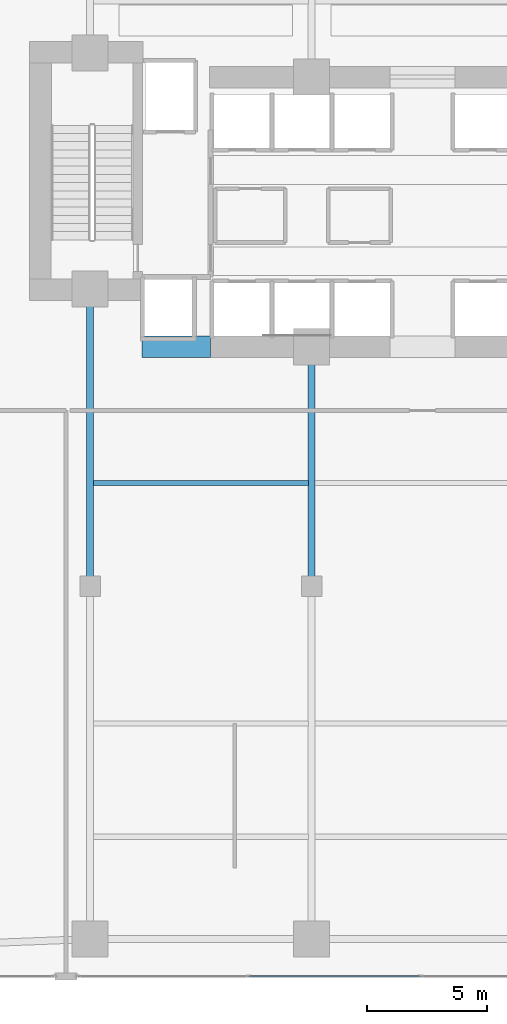
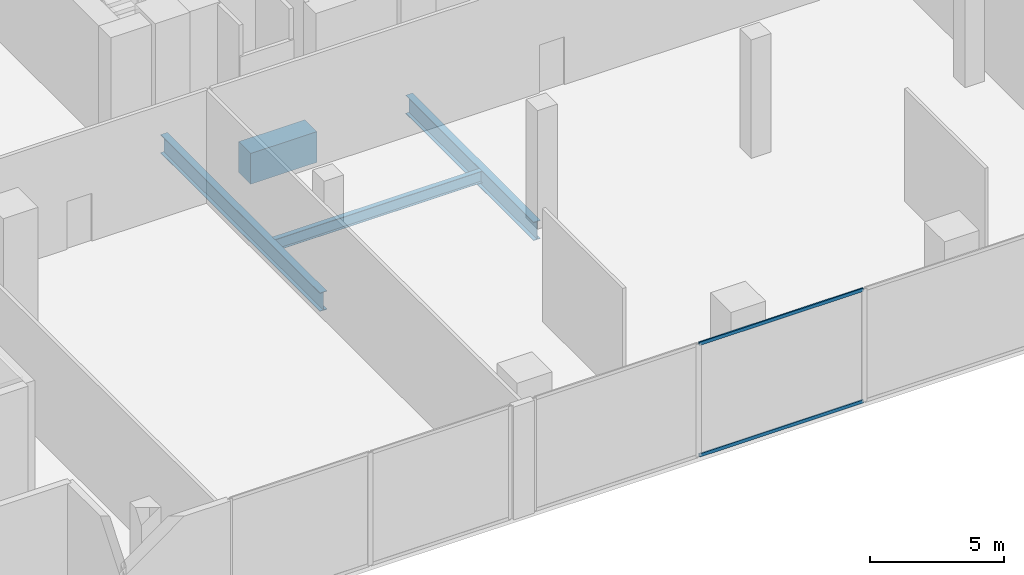
# One storey, part 7 of 30: 4 beams, 2 members, 1 element without a shape of its own.
"""IFC4 building model written with IfcOpenShell, lengths in metres."""

from ifc_helpers import new_model, si_unit, direction, frame, origin, origin_2d, place, context, subcontext, project, spatial, rectangle, hollow_rectangle, i_section, extrude, material, layer, layer_set, material_profile, profile_set, type_object, element, aggregate, save


model = new_model("IFC4")

# Units and contexts
model_context = context("Model", 3, precision=1e-05, world=origin(), true_north=direction((0.0, 1.0)))
body_context = subcontext(model_context, "Body", "Model", "MODEL_VIEW")
ifc_project = project(units=[si_unit("LENGTHUNIT", "METRE"), si_unit("AREAUNIT", "SQUARE_METRE"), si_unit("VOLUMEUNIT", "CUBIC_METRE"), si_unit("PLANEANGLEUNIT", "RADIAN"), si_unit("MASSUNIT", "GRAM", prefix="KILO")], contexts=[model_context])

# Site, building, storey
site_placement = place(None, origin())
site = spatial("IfcSite", under=ifc_project, at=site_placement, CompositionType="ELEMENT")
building_placement = place(site_placement, origin())
building = spatial("IfcBuilding", under=site, at=building_placement, Name="Zuhayl Quay Hotel", CompositionType="ELEMENT")
storey_placement = place(building_placement, frame((0.0, 0.0, 6.0)))
storey = spatial("IfcBuildingStorey", under=building, at=storey_placement, Name="L01", CompositionType="ELEMENT", Elevation=6.0)

# Beams
ifc_material_1 = material(Name="Concrete C60/75", Category="concrete")
ifc_material_profile_1 = material_profile(ifc_material_1, rectangle(XDim=0.89990234375, YDim=1.39990234375, at=origin_2d()), Name="RC900X1400")
ifc_profile_set_1 = profile_set([ifc_material_profile_1], Name="Concrete C60/75")
beam_type_1 = type_object("IfcBeamType", Name="BM_CB1_RC900", PredefinedType="T_BEAM", material=ifc_profile_set_1)
beam_1_placement = place(storey_placement, frame((-11.64990234375, 2.14990234375, -0.949951171875), z_axis=(1.0, 0.0, 0.0), x_axis=(0.0, 1.0, 0.0)))
element("IfcBeam", 1, at=beam_1_placement, inside=storey, type_object=beam_type_1, Name="L01 Core Coupling Beam SW", PredefinedType="T_BEAM", context=body_context, shape_type="SweptSolid", body=[
    extrude(rectangle(XDim=0.89990234375, YDim=1.39990234375, at=origin_2d()), origin(), (0.0, 0.0, 1.0), 2.849853515625),
])
ifc_material_2 = material(Name="Steel ASTM A992 Grade 50", Category="steel")
ifc_material_profile_2 = material_profile(ifc_material_2, i_section(OverallWidth=0.208984375, OverallDepth=0.532958984375, WebThickness=0.01025390625, FlangeThickness=0.015625, at=origin_2d()), Name="W21X62")
ifc_profile_set_2 = profile_set([ifc_material_profile_2], Name="Steel ASTM A992 Grade 50")
beam_type_2 = type_object("IfcBeamType", Name="BM_J1_W21X62", PredefinedType="JOIST", material=ifc_profile_set_2)
beam_2_placement = place(storey_placement, frame((-13.662109375, -3.5, -0.5166015625), z_axis=(1.0, 0.0, 0.0), x_axis=(0.0, 1.0, 0.0)))
element("IfcBeam", 2, at=beam_2_placement, inside=storey, type_object=beam_type_2, Name="L01 Floor Beam J_POD_L01_3_1", PredefinedType="JOIST", context=body_context, shape_type="SweptSolid", body=[
    extrude(i_section(OverallWidth=0.208984375, OverallDepth=0.532958984375, WebThickness=0.01025390625, FlangeThickness=0.015625, at=origin_2d()), origin(), (0.0, 0.0, 1.0), 8.924072265625),
])
ifc_material_profile_3 = material_profile(ifc_material_2, i_section(OverallWidth=0.2919921875, OverallDepth=0.845947265625, WebThickness=0.015380859375, FlangeThickness=0.0244140625, at=origin_2d()), Name="W33X141")
ifc_profile_set_3 = profile_set([ifc_material_profile_3], Name="Steel ASTM A992 Grade 50")
beam_type_3 = type_object("IfcBeamType", Name="BM_PG3_W33X141", PredefinedType="BEAM", material=ifc_profile_set_3)
beam_3_placement = place(storey_placement, frame((-13.800048828125, -7.449951171875, -0.673095703125), z_axis=(0.0, 1.0, 0.0), x_axis=(-1.0, 0.0, 0.0)))
element("IfcBeam", 3, at=beam_3_placement, inside=storey, type_object=beam_type_3, Name="L01 Floor Beam PG_NS2_L01_1", PredefinedType="BEAM", context=body_context, shape_type="SweptSolid", body=[
    extrude(i_section(OverallWidth=0.2919921875, OverallDepth=0.845947265625, WebThickness=0.015380859375, FlangeThickness=0.0244140625, at=origin_2d()), origin(), (0.0, 0.0, 1.0), 11.89990234375),
])
beam_4_placement = place(storey_placement, frame((-4.60009765625, -7.449951171875, -0.673095703125), z_axis=(0.0, 1.0, 0.0), x_axis=(-1.0, 0.0, 0.0)))
element("IfcBeam", 4, at=beam_4_placement, inside=storey, type_object=beam_type_3, Name="L01 Floor Beam PG_NS2_L01_2", PredefinedType="BEAM", context=body_context, shape_type="SweptSolid", body=[
    extrude(i_section(OverallWidth=0.2919921875, OverallDepth=0.845947265625, WebThickness=0.015380859375, FlangeThickness=0.0244140625, at=origin_2d()), origin(), (0.0, 0.0, 1.0), 9.550048828125),
])

# Curtain wall, members
ifc_material_3 = material(Name="Anodised Aluminium 6063-T6", Category="aluminium")
ifc_layer = layer(ifc_material_3, 0.199951171875, Name="Anodised Aluminium 6063-T6", Category="aluminium")
ifc_layer_set = layer_set([ifc_layer], Name="Anodised Aluminium 6063-T6")
curtain_wall_type = type_object("IfcCurtainWallType", Name="CW_SYS_POD", PredefinedType="USERDEFINED", material=ifc_layer_set)
curtain_wall_placement = place(storey_placement, origin())
curtain_wall = element("IfcCurtainWall", 5, at=curtain_wall_placement, inside=storey, type_object=curtain_wall_type, Name="L01 Curtain Wall ENV_L01_E11_CW2", ObjectType="UNITISED CURTAIN WALL", PredefinedType="USERDEFINED")
ifc_material_4 = material(Name="Black-anodised aluminium 6063-T6", Category="aluminium")
ifc_material_profile_4 = material_profile(ifc_material_4, hollow_rectangle(XDim=0.06005859375, YDim=0.14990234375, WallThickness=0.00341796875, at=origin_2d()), Name="ALU150X60")
ifc_profile_set_4 = profile_set([ifc_material_profile_4], Name="Black-anodised aluminium 6063-T6")
member_type = type_object("IfcMemberType", Name="MB_CW_TRN_150", PredefinedType="USERDEFINED", material=ifc_profile_set_4)
member_1_placement = place(storey_placement, frame((-0.117431640625, -24.0, 0.030029296875), z_axis=(-1.0, 0.0, 0.0), x_axis=(0.0, -1.0, 0.0)))
member_1 = element("IfcMember", 6, at=member_1_placement, type_object=member_type, Name="CW-POD transom 3.1", ObjectType="TRANSOM", PredefinedType="USERDEFINED", context=body_context, shape_type="SweptSolid", body=[
    extrude(hollow_rectangle(XDim=0.06005859375, YDim=0.14990234375, WallThickness=0.00341796875, at=origin_2d()), origin(), (0.0, 0.0, 1.0), 7.06005859375),
])
member_2_placement = place(storey_placement, frame((-0.117431640625, -24.0, 5.110107421875), z_axis=(-1.0, 0.0, 0.0), x_axis=(0.0, -1.0, 0.0)))
member_2 = element("IfcMember", 7, at=member_2_placement, type_object=member_type, Name="CW-POD transom 3.2", ObjectType="TRANSOM", PredefinedType="USERDEFINED", context=body_context, shape_type="SweptSolid", body=[
    extrude(hollow_rectangle(XDim=0.06005859375, YDim=0.14990234375, WallThickness=0.00341796875, at=origin_2d()), origin(), (0.0, 0.0, 1.0), 7.06005859375),
])
aggregate(curtain_wall, [member_1, member_2])

save(model, "model.ifc")
